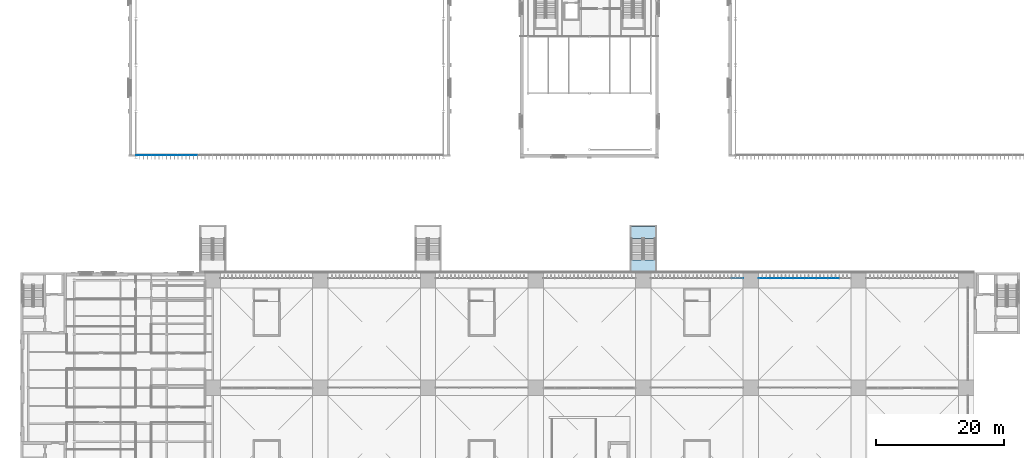
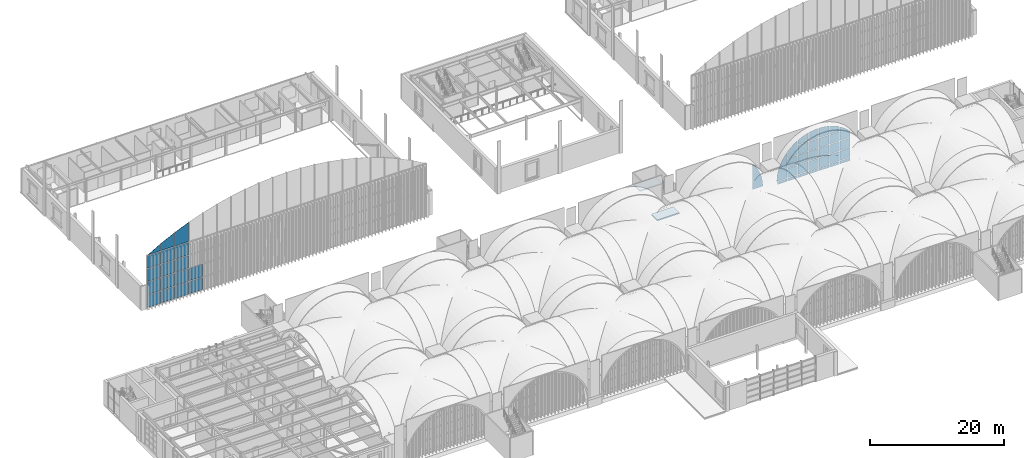
# One storey, part 88 of 169: 48 plates, 2 slabs, 4 elements without a shape of their own.
"""IFC4 building model written with IfcOpenShell, lengths in metres."""

from ifc_helpers import new_model, si_unit, direction, frame, origin, origin_2d, place, context, subcontext, project, spatial, polyline, rectangle, outline, extrude, material, layer, layer_set, type_object, element, aggregate, save


model = new_model("IFC4")

# Units and contexts
model_context = context("Model", 3, precision=1e-05, world=origin(), true_north=direction((0.0, 1.0)))
body_context = subcontext(model_context, "Body", "Model", "MODEL_VIEW")
ifc_project = project(units=[si_unit("LENGTHUNIT", "METRE"), si_unit("AREAUNIT", "SQUARE_METRE"), si_unit("VOLUMEUNIT", "CUBIC_METRE"), si_unit("PLANEANGLEUNIT", "RADIAN"), si_unit("MASSUNIT", "GRAM", prefix="KILO")], contexts=[model_context])

# Site, building, storey
site_placement = place(None, origin())
site = spatial("IfcSite", under=ifc_project, at=site_placement, CompositionType="ELEMENT")
building_placement = place(site_placement, origin())
building = spatial("IfcBuilding", under=site, at=building_placement, Name="Verrick Yard Athletic Hall", CompositionType="ELEMENT")
storey_placement = place(building_placement, frame((0.0, 0.0, 4.39990234375)))
storey = spatial("IfcBuildingStorey", under=building, at=storey_placement, Name="L01", CompositionType="ELEMENT", Elevation=4.39990234375)

# Slab
ifc_material_1 = material(Name="Concrete 35 MPa", Category="concrete")
ifc_layer_1 = layer(ifc_material_1, 0.199951171875)
ifc_layer_set_1 = layer_set([ifc_layer_1], Name="Core floor slab 200")
slab_type_1 = type_object("IfcSlabType", Name="Core floor slab 200", PredefinedType="FLOOR", material=ifc_layer_set_1)
slab_1_placement = place(storey_placement, frame((0.0, 0.0, -0.199951171875)))
element("IfcSlab", 1, at=slab_1_placement, inside=storey, type_object=slab_type_1, Name="CORE-DT-N2-NL-L01", PredefinedType="FLOOR", context=body_context, shape_type="SweptSolid", body=[
    extrude(outline(polyline([(109.10009765625, 54.199951171875), (109.10009765625, 56.0), (105.300048828125, 56.0), (105.300048828125, 54.199951171875), (109.10009765625, 54.199951171875)])), origin(), (0.0, 0.0, 1.0), 0.199951171875),
])

# Curtain wall, plate
ifc_material_2 = material(Name="Aluminium and glass curtain wall", Category="aluminium")
ifc_layer_2 = layer(ifc_material_2, 0.14990234375)
ifc_layer_set_2 = layer_set([ifc_layer_2], Name="Arcade glazing arch")
curtain_wall_type_1 = type_object("IfcCurtainWallType", Name="Arcade glazing arch", PredefinedType="NOTDEFINED", material=ifc_layer_set_2)
curtain_wall_1_placement = place(storey_placement, origin())
curtain_wall_1 = element("IfcCurtainWall", 2, at=curtain_wall_1_placement, inside=storey, type_object=curtain_wall_type_1, Name="Arcade glazing N5", PredefinedType="NOTDEFINED")
ifc_material_3 = material(Name="Laminated glass 28 mm", Category="glass")
ifc_layer_3 = layer(ifc_material_3, 0.028076171875)
ifc_layer_set_3 = layer_set([ifc_layer_3], Name="Curtain wall glass panel")
plate_type_1 = type_object("IfcPlateType", Name="Curtain wall glass panel", PredefinedType="CURTAIN_PANEL", material=ifc_layer_set_3)
plate_1_placement = place(storey_placement, frame((108.39990234375, 53.10009765625, 0.700927734375), z_axis=(0.0, 0.0, 1.0), x_axis=(1.0, 0.0, 0.0)))
plate_1 = element("IfcPlate", 3, at=plate_1_placement, type_object=plate_type_1, Name="Arcade glazing N5 panel 32", PredefinedType="CURTAIN_PANEL", context=body_context, shape_type="SweptSolid", body=[
    extrude(outline(polyline([(14.39892578125, 0.0), (14.39306640625, 0.26318359375), (14.37255859375, 0.57666015625), (14.33837890625, 0.888916015625), (14.29052734375, 1.199462890625), (14.229248046875, 1.507568359375), (14.15478515625, 1.812744140625), (14.06689453125, 2.1142578125), (13.9658203125, 2.41162109375), (13.851806640625, 2.70458984375), (13.725341796875, 2.9921875), (13.58642578125, 3.273681640625), (13.435302734375, 3.549072265625), (13.2724609375, 3.81787109375), (13.097900390625, 4.078857421875), (12.912109375, 4.332275390625), (12.715576171875, 4.5771484375), (12.65087890625, 4.651123046875), (12.65087890625, 0.0), (14.39892578125, 0.0)])), frame((0.0, 0.01416015625, 0.0), z_axis=(0.0, -1.0, 0.0), x_axis=(1.0, 0.0, 0.0)), (0.0, 0.0, 1.0), 0.028076171875),
])
aggregate(curtain_wall_1, [plate_1])

# Curtain wall, plates
curtain_wall_2_placement = place(storey_placement, origin())
curtain_wall_2 = element("IfcCurtainWall", 4, at=curtain_wall_2_placement, inside=storey, type_object=curtain_wall_type_1, Name="Arcade glazing N6", PredefinedType="NOTDEFINED")
plate_2_placement = place(storey_placement, frame((125.199951171875, 53.10009765625, 0.101806640625), z_axis=(0.0, 0.0, 1.0), x_axis=(1.0, 0.0, 0.0)))
plate_2 = element("IfcPlate", 5, at=plate_2_placement, type_object=plate_type_1, Name="Arcade glazing N6 panel 1", PredefinedType="CURTAIN_PANEL", context=body_context, shape_type="SweptSolid", body=[
    extrude(outline(polyline([(1.749267578125, 0.0), (1.749267578125, 0.49755859375), (0.10205078125, 0.49755859375), (0.10205078125, 0.0), (1.749267578125, 0.0)])), frame((0.0, 0.01416015625, 0.0), z_axis=(0.0, -1.0, 0.0), x_axis=(1.0, 0.0, 0.0)), (0.0, 0.0, 1.0), 0.028076171875),
])
plate_3_placement = place(storey_placement, frame((125.199951171875, 53.10009765625, 0.700927734375), z_axis=(0.0, 0.0, 1.0), x_axis=(1.0, 0.0, 0.0)))
plate_3 = element("IfcPlate", 6, at=plate_3_placement, type_object=plate_type_1, Name="Arcade glazing N6 panel 2", PredefinedType="CURTAIN_PANEL", context=body_context, shape_type="SweptSolid", body=[
    extrude(outline(polyline([(1.749267578125, 4.651123046875), (1.6845703125, 4.5771484375), (1.48779296875, 4.332275390625), (1.302001953125, 4.078857421875), (1.127685546875, 3.81787109375), (0.964599609375, 3.549072265625), (0.8134765625, 3.273681640625), (0.674560546875, 2.9921875), (0.548095703125, 2.70458984375), (0.43408203125, 2.41162109375), (0.333251953125, 2.1142578125), (0.245361328125, 1.812744140625), (0.170654296875, 1.507568359375), (0.109375, 1.199462890625), (0.0615234375, 0.888916015625), (0.02734375, 0.57666015625), (0.0068359375, 0.26318359375), (0.001220703125, 0.0), (1.749267578125, 0.0), (1.749267578125, 4.651123046875)])), frame((0.0, 0.01416015625, 0.0), z_axis=(0.0, -1.0, 0.0), x_axis=(1.0, 0.0, 0.0)), (0.0, 0.0, 1.0), 0.028076171875),
])
plate_4_placement = place(storey_placement, frame((125.199951171875, 53.10009765625, 0.101806640625), z_axis=(0.0, 0.0, 1.0), x_axis=(1.0, 0.0, 0.0)))
plate_4 = element("IfcPlate", 7, at=plate_4_placement, type_object=plate_type_1, Name="Arcade glazing N6 panel 3", PredefinedType="CURTAIN_PANEL", context=body_context, shape_type="SweptSolid", body=[
    extrude(outline(polyline([(3.54931640625, 0.0), (3.54931640625, 0.49755859375), (1.850830078125, 0.49755859375), (1.850830078125, 0.0), (3.54931640625, 0.0)])), frame((0.0, 0.01416015625, 0.0), z_axis=(0.0, -1.0, 0.0), x_axis=(1.0, 0.0, 0.0)), (0.0, 0.0, 1.0), 0.028076171875),
])
plate_5_placement = place(storey_placement, frame((125.199951171875, 53.10009765625, 0.700927734375), z_axis=(0.0, 0.0, 1.0), x_axis=(1.0, 0.0, 0.0)))
plate_5 = element("IfcPlate", 8, at=plate_5_placement, type_object=plate_type_1, Name="Arcade glazing N6 panel 4", PredefinedType="CURTAIN_PANEL", context=body_context, shape_type="SweptSolid", body=[
    extrude(outline(polyline([(3.54931640625, 0.0), (3.54931640625, 1.698486328125), (1.850830078125, 1.698486328125), (1.850830078125, 0.0), (3.54931640625, 0.0)])), frame((0.0, 0.01416015625, 0.0), z_axis=(0.0, -1.0, 0.0), x_axis=(1.0, 0.0, 0.0)), (0.0, 0.0, 1.0), 0.028076171875),
])
plate_6_placement = place(storey_placement, frame((125.199951171875, 53.10009765625, 2.5009765625), z_axis=(0.0, 0.0, 1.0), x_axis=(1.0, 0.0, 0.0)))
plate_6 = element("IfcPlate", 9, at=plate_6_placement, type_object=plate_type_1, Name="Arcade glazing N6 panel 5", PredefinedType="CURTAIN_PANEL", context=body_context, shape_type="SweptSolid", body=[
    extrude(outline(polyline([(3.54931640625, 0.0), (3.54931640625, 1.6982421875), (1.850830078125, 1.6982421875), (1.850830078125, 0.0), (3.54931640625, 0.0)])), frame((0.0, 0.01416015625, 0.0), z_axis=(0.0, -1.0, 0.0), x_axis=(1.0, 0.0, 0.0)), (0.0, 0.0, 1.0), 0.028076171875),
])
plate_7_placement = place(storey_placement, frame((125.199951171875, 53.10009765625, 4.30078125), z_axis=(0.0, 0.0, 1.0), x_axis=(1.0, 0.0, 0.0)))
plate_7 = element("IfcPlate", 10, at=plate_7_placement, type_object=plate_type_1, Name="Arcade glazing N6 panel 6", PredefinedType="CURTAIN_PANEL", context=body_context, shape_type="SweptSolid", body=[
    extrude(outline(polyline([(3.54931640625, 2.553955078125), (3.331298828125, 2.421630859375), (3.0703125, 2.247314453125), (2.81689453125, 2.0615234375), (2.572021484375, 1.86474609375), (2.335693359375, 1.65771484375), (2.10888671875, 1.4404296875), (1.8916015625, 1.213623046875), (1.850830078125, 1.1669921875), (1.850830078125, 0.0), (3.54931640625, 0.0), (3.54931640625, 2.553955078125)])), frame((0.0, 0.01416015625, 0.0), z_axis=(0.0, -1.0, 0.0), x_axis=(1.0, 0.0, 0.0)), (0.0, 0.0, 1.0), 0.028076171875),
])
plate_8_placement = place(storey_placement, frame((125.199951171875, 53.10009765625, 0.101806640625), z_axis=(0.0, 0.0, 1.0), x_axis=(1.0, 0.0, 0.0)))
plate_8 = element("IfcPlate", 11, at=plate_8_placement, type_object=plate_type_1, Name="Arcade glazing N6 panel 7", PredefinedType="CURTAIN_PANEL", context=body_context, shape_type="SweptSolid", body=[
    extrude(outline(polyline([(5.34912109375, 0.0), (5.34912109375, 0.49755859375), (3.65087890625, 0.49755859375), (3.65087890625, 0.0), (5.34912109375, 0.0)])), frame((0.0, 0.01416015625, 0.0), z_axis=(0.0, -1.0, 0.0), x_axis=(1.0, 0.0, 0.0)), (0.0, 0.0, 1.0), 0.028076171875),
])
plate_9_placement = place(storey_placement, frame((125.199951171875, 53.10009765625, 0.700927734375), z_axis=(0.0, 0.0, 1.0), x_axis=(1.0, 0.0, 0.0)))
plate_9 = element("IfcPlate", 12, at=plate_9_placement, type_object=plate_type_1, Name="Arcade glazing N6 panel 8", PredefinedType="CURTAIN_PANEL", context=body_context, shape_type="SweptSolid", body=[
    extrude(outline(polyline([(5.34912109375, 0.0), (5.34912109375, 1.698486328125), (3.65087890625, 1.698486328125), (3.65087890625, 0.0), (5.34912109375, 0.0)])), frame((0.0, 0.01416015625, 0.0), z_axis=(0.0, -1.0, 0.0), x_axis=(1.0, 0.0, 0.0)), (0.0, 0.0, 1.0), 0.028076171875),
])
plate_10_placement = place(storey_placement, frame((125.199951171875, 53.10009765625, 2.5009765625), z_axis=(0.0, 0.0, 1.0), x_axis=(1.0, 0.0, 0.0)))
plate_10 = element("IfcPlate", 13, at=plate_10_placement, type_object=plate_type_1, Name="Arcade glazing N6 panel 9", PredefinedType="CURTAIN_PANEL", context=body_context, shape_type="SweptSolid", body=[
    extrude(outline(polyline([(5.34912109375, 0.0), (5.34912109375, 1.6982421875), (3.65087890625, 1.6982421875), (3.65087890625, 0.0), (5.34912109375, 0.0)])), frame((0.0, 0.01416015625, 0.0), z_axis=(0.0, -1.0, 0.0), x_axis=(1.0, 0.0, 0.0)), (0.0, 0.0, 1.0), 0.028076171875),
])
plate_11_placement = place(storey_placement, frame((125.199951171875, 53.10009765625, 4.30078125), z_axis=(0.0, 0.0, 1.0), x_axis=(1.0, 0.0, 0.0)))
plate_11 = element("IfcPlate", 14, at=plate_11_placement, type_object=plate_type_1, Name="Arcade glazing N6 panel 10", PredefinedType="CURTAIN_PANEL", context=body_context, shape_type="SweptSolid", body=[
    extrude(outline(polyline([(5.34912109375, 0.0), (5.34912109375, 1.698486328125), (3.65087890625, 1.698486328125), (3.65087890625, 0.0), (5.34912109375, 0.0)])), frame((0.0, 0.01416015625, 0.0), z_axis=(0.0, -1.0, 0.0), x_axis=(1.0, 0.0, 0.0)), (0.0, 0.0, 1.0), 0.028076171875),
])
plate_12_placement = place(storey_placement, frame((125.199951171875, 53.10009765625, 6.100830078125), z_axis=(0.0, 0.0, 1.0), x_axis=(1.0, 0.0, 0.0)))
plate_12 = element("IfcPlate", 15, at=plate_12_placement, type_object=plate_type_1, Name="Arcade glazing N6 panel 11", PredefinedType="CURTAIN_PANEL", context=body_context, shape_type="SweptSolid", body=[
    extrude(outline(polyline([(5.34912109375, 1.507080078125), (5.33642578125, 1.50390625), (5.034912109375, 1.416015625), (4.737548828125, 1.315185546875), (4.444580078125, 1.201171875), (4.156982421875, 1.07470703125), (3.87548828125, 0.935791015625), (3.65087890625, 0.8125), (3.65087890625, 0.0), (5.34912109375, 0.0), (5.34912109375, 1.507080078125)])), frame((0.0, 0.01416015625, 0.0), z_axis=(0.0, -1.0, 0.0), x_axis=(1.0, 0.0, 0.0)), (0.0, 0.0, 1.0), 0.028076171875),
])
plate_13_placement = place(storey_placement, frame((125.199951171875, 53.10009765625, 0.101806640625), z_axis=(0.0, 0.0, 1.0), x_axis=(1.0, 0.0, 0.0)))
plate_13 = element("IfcPlate", 16, at=plate_13_placement, type_object=plate_type_1, Name="Arcade glazing N6 panel 12", PredefinedType="CURTAIN_PANEL", context=body_context, shape_type="SweptSolid", body=[
    extrude(outline(polyline([(7.149169921875, 0.0), (7.149169921875, 0.49755859375), (5.45068359375, 0.49755859375), (5.45068359375, 0.0), (7.149169921875, 0.0)])), frame((0.0, 0.01416015625, 0.0), z_axis=(0.0, -1.0, 0.0), x_axis=(1.0, 0.0, 0.0)), (0.0, 0.0, 1.0), 0.028076171875),
])
plate_14_placement = place(storey_placement, frame((125.199951171875, 53.10009765625, 0.700927734375), z_axis=(0.0, 0.0, 1.0), x_axis=(1.0, 0.0, 0.0)))
plate_14 = element("IfcPlate", 17, at=plate_14_placement, type_object=plate_type_1, Name="Arcade glazing N6 panel 13", PredefinedType="CURTAIN_PANEL", context=body_context, shape_type="SweptSolid", body=[
    extrude(outline(polyline([(7.149169921875, 0.0), (7.149169921875, 1.698486328125), (5.45068359375, 1.698486328125), (5.45068359375, 0.0), (7.149169921875, 0.0)])), frame((0.0, 0.01416015625, 0.0), z_axis=(0.0, -1.0, 0.0), x_axis=(1.0, 0.0, 0.0)), (0.0, 0.0, 1.0), 0.028076171875),
])
plate_15_placement = place(storey_placement, frame((125.199951171875, 53.10009765625, 2.5009765625), z_axis=(0.0, 0.0, 1.0), x_axis=(1.0, 0.0, 0.0)))
plate_15 = element("IfcPlate", 18, at=plate_15_placement, type_object=plate_type_1, Name="Arcade glazing N6 panel 14", PredefinedType="CURTAIN_PANEL", context=body_context, shape_type="SweptSolid", body=[
    extrude(outline(polyline([(7.149169921875, 0.0), (7.149169921875, 1.6982421875), (5.45068359375, 1.6982421875), (5.45068359375, 0.0), (7.149169921875, 0.0)])), frame((0.0, 0.01416015625, 0.0), z_axis=(0.0, -1.0, 0.0), x_axis=(1.0, 0.0, 0.0)), (0.0, 0.0, 1.0), 0.028076171875),
])
plate_16_placement = place(storey_placement, frame((125.199951171875, 53.10009765625, 4.30078125), z_axis=(0.0, 0.0, 1.0), x_axis=(1.0, 0.0, 0.0)))
plate_16 = element("IfcPlate", 19, at=plate_16_placement, type_object=plate_type_1, Name="Arcade glazing N6 panel 15", PredefinedType="CURTAIN_PANEL", context=body_context, shape_type="SweptSolid", body=[
    extrude(outline(polyline([(7.149169921875, 0.0), (7.149169921875, 1.698486328125), (5.45068359375, 1.698486328125), (5.45068359375, 0.0), (7.149169921875, 0.0)])), frame((0.0, 0.01416015625, 0.0), z_axis=(0.0, -1.0, 0.0), x_axis=(1.0, 0.0, 0.0)), (0.0, 0.0, 1.0), 0.028076171875),
])
plate_17_placement = place(storey_placement, frame((125.199951171875, 53.10009765625, 6.100830078125), z_axis=(0.0, 0.0, 1.0), x_axis=(1.0, 0.0, 0.0)))
plate_17 = element("IfcPlate", 20, at=plate_17_placement, type_object=plate_type_1, Name="Arcade glazing N6 panel 16", PredefinedType="CURTAIN_PANEL", context=body_context, shape_type="SweptSolid", body=[
    extrude(outline(polyline([(7.149169921875, 1.748046875), (6.885986328125, 1.742431640625), (6.572509765625, 1.721923828125), (6.26025390625, 1.687744140625), (5.94970703125, 1.639892578125), (5.6416015625, 1.57861328125), (5.45068359375, 1.531982421875), (5.45068359375, 0.0), (7.149169921875, 0.0), (7.149169921875, 1.748046875)])), frame((0.0, 0.01416015625, 0.0), z_axis=(0.0, -1.0, 0.0), x_axis=(1.0, 0.0, 0.0)), (0.0, 0.0, 1.0), 0.028076171875),
])
plate_18_placement = place(storey_placement, frame((125.199951171875, 53.10009765625, 0.101806640625), z_axis=(0.0, 0.0, 1.0), x_axis=(1.0, 0.0, 0.0)))
plate_18 = element("IfcPlate", 21, at=plate_18_placement, type_object=plate_type_1, Name="Arcade glazing N6 panel 17", PredefinedType="CURTAIN_PANEL", context=body_context, shape_type="SweptSolid", body=[
    extrude(outline(polyline([(8.94921875, 0.0), (8.94921875, 0.49755859375), (7.250732421875, 0.49755859375), (7.250732421875, 0.0), (8.94921875, 0.0)])), frame((0.0, 0.01416015625, 0.0), z_axis=(0.0, -1.0, 0.0), x_axis=(1.0, 0.0, 0.0)), (0.0, 0.0, 1.0), 0.028076171875),
])
plate_19_placement = place(storey_placement, frame((125.199951171875, 53.10009765625, 0.700927734375), z_axis=(0.0, 0.0, 1.0), x_axis=(1.0, 0.0, 0.0)))
plate_19 = element("IfcPlate", 22, at=plate_19_placement, type_object=plate_type_1, Name="Arcade glazing N6 panel 18", PredefinedType="CURTAIN_PANEL", context=body_context, shape_type="SweptSolid", body=[
    extrude(outline(polyline([(8.94921875, 0.0), (8.94921875, 1.698486328125), (7.250732421875, 1.698486328125), (7.250732421875, 0.0), (8.94921875, 0.0)])), frame((0.0, 0.01416015625, 0.0), z_axis=(0.0, -1.0, 0.0), x_axis=(1.0, 0.0, 0.0)), (0.0, 0.0, 1.0), 0.028076171875),
])
plate_20_placement = place(storey_placement, frame((125.199951171875, 53.10009765625, 2.5009765625), z_axis=(0.0, 0.0, 1.0), x_axis=(1.0, 0.0, 0.0)))
plate_20 = element("IfcPlate", 23, at=plate_20_placement, type_object=plate_type_1, Name="Arcade glazing N6 panel 19", PredefinedType="CURTAIN_PANEL", context=body_context, shape_type="SweptSolid", body=[
    extrude(outline(polyline([(8.94921875, 0.0), (8.94921875, 1.6982421875), (7.250732421875, 1.6982421875), (7.250732421875, 0.0), (8.94921875, 0.0)])), frame((0.0, 0.01416015625, 0.0), z_axis=(0.0, -1.0, 0.0), x_axis=(1.0, 0.0, 0.0)), (0.0, 0.0, 1.0), 0.028076171875),
])
plate_21_placement = place(storey_placement, frame((125.199951171875, 53.10009765625, 4.30078125), z_axis=(0.0, 0.0, 1.0), x_axis=(1.0, 0.0, 0.0)))
plate_21 = element("IfcPlate", 24, at=plate_21_placement, type_object=plate_type_1, Name="Arcade glazing N6 panel 20", PredefinedType="CURTAIN_PANEL", context=body_context, shape_type="SweptSolid", body=[
    extrude(outline(polyline([(8.94921875, 0.0), (8.94921875, 1.698486328125), (7.250732421875, 1.698486328125), (7.250732421875, 0.0), (8.94921875, 0.0)])), frame((0.0, 0.01416015625, 0.0), z_axis=(0.0, -1.0, 0.0), x_axis=(1.0, 0.0, 0.0)), (0.0, 0.0, 1.0), 0.028076171875),
])
plate_22_placement = place(storey_placement, frame((125.199951171875, 53.10009765625, 6.100830078125), z_axis=(0.0, 0.0, 1.0), x_axis=(1.0, 0.0, 0.0)))
plate_22 = element("IfcPlate", 25, at=plate_22_placement, type_object=plate_type_1, Name="Arcade glazing N6 panel 21", PredefinedType="CURTAIN_PANEL", context=body_context, shape_type="SweptSolid", body=[
    extrude(outline(polyline([(8.94921875, 1.531982421875), (8.75830078125, 1.57861328125), (8.4501953125, 1.639892578125), (8.139892578125, 1.687744140625), (7.827392578125, 1.721923828125), (7.51416015625, 1.742431640625), (7.250732421875, 1.748046875), (7.250732421875, 0.0), (8.94921875, 0.0), (8.94921875, 1.531982421875)])), frame((0.0, 0.01416015625, 0.0), z_axis=(0.0, -1.0, 0.0), x_axis=(1.0, 0.0, 0.0)), (0.0, 0.0, 1.0), 0.028076171875),
])
plate_23_placement = place(storey_placement, frame((125.199951171875, 53.10009765625, 0.101806640625), z_axis=(0.0, 0.0, 1.0), x_axis=(1.0, 0.0, 0.0)))
plate_23 = element("IfcPlate", 26, at=plate_23_placement, type_object=plate_type_1, Name="Arcade glazing N6 panel 22", PredefinedType="CURTAIN_PANEL", context=body_context, shape_type="SweptSolid", body=[
    extrude(outline(polyline([(10.749267578125, 0.0), (10.749267578125, 0.49755859375), (9.05078125, 0.49755859375), (9.05078125, 0.0), (10.749267578125, 0.0)])), frame((0.0, 0.01416015625, 0.0), z_axis=(0.0, -1.0, 0.0), x_axis=(1.0, 0.0, 0.0)), (0.0, 0.0, 1.0), 0.028076171875),
])
plate_24_placement = place(storey_placement, frame((125.199951171875, 53.10009765625, 0.700927734375), z_axis=(0.0, 0.0, 1.0), x_axis=(1.0, 0.0, 0.0)))
plate_24 = element("IfcPlate", 27, at=plate_24_placement, type_object=plate_type_1, Name="Arcade glazing N6 panel 23", PredefinedType="CURTAIN_PANEL", context=body_context, shape_type="SweptSolid", body=[
    extrude(outline(polyline([(10.749267578125, 0.0), (10.749267578125, 1.698486328125), (9.05078125, 1.698486328125), (9.05078125, 0.0), (10.749267578125, 0.0)])), frame((0.0, 0.01416015625, 0.0), z_axis=(0.0, -1.0, 0.0), x_axis=(1.0, 0.0, 0.0)), (0.0, 0.0, 1.0), 0.028076171875),
])
plate_25_placement = place(storey_placement, frame((125.199951171875, 53.10009765625, 2.5009765625), z_axis=(0.0, 0.0, 1.0), x_axis=(1.0, 0.0, 0.0)))
plate_25 = element("IfcPlate", 28, at=plate_25_placement, type_object=plate_type_1, Name="Arcade glazing N6 panel 24", PredefinedType="CURTAIN_PANEL", context=body_context, shape_type="SweptSolid", body=[
    extrude(outline(polyline([(10.749267578125, 0.0), (10.749267578125, 1.6982421875), (9.05078125, 1.6982421875), (9.05078125, 0.0), (10.749267578125, 0.0)])), frame((0.0, 0.01416015625, 0.0), z_axis=(0.0, -1.0, 0.0), x_axis=(1.0, 0.0, 0.0)), (0.0, 0.0, 1.0), 0.028076171875),
])
plate_26_placement = place(storey_placement, frame((125.199951171875, 53.10009765625, 4.30078125), z_axis=(0.0, 0.0, 1.0), x_axis=(1.0, 0.0, 0.0)))
plate_26 = element("IfcPlate", 29, at=plate_26_placement, type_object=plate_type_1, Name="Arcade glazing N6 panel 25", PredefinedType="CURTAIN_PANEL", context=body_context, shape_type="SweptSolid", body=[
    extrude(outline(polyline([(10.749267578125, 0.0), (10.749267578125, 1.698486328125), (9.05078125, 1.698486328125), (9.05078125, 0.0), (10.749267578125, 0.0)])), frame((0.0, 0.01416015625, 0.0), z_axis=(0.0, -1.0, 0.0), x_axis=(1.0, 0.0, 0.0)), (0.0, 0.0, 1.0), 0.028076171875),
])
plate_27_placement = place(storey_placement, frame((125.199951171875, 53.10009765625, 6.100830078125), z_axis=(0.0, 0.0, 1.0), x_axis=(1.0, 0.0, 0.0)))
plate_27 = element("IfcPlate", 30, at=plate_27_placement, type_object=plate_type_1, Name="Arcade glazing N6 panel 26", PredefinedType="CURTAIN_PANEL", context=body_context, shape_type="SweptSolid", body=[
    extrude(outline(polyline([(10.749267578125, 0.8125), (10.524658203125, 0.935791015625), (10.242919921875, 1.07470703125), (9.955322265625, 1.201171875), (9.66259765625, 1.315185546875), (9.364990234375, 1.416015625), (9.0634765625, 1.50390625), (9.05078125, 1.507080078125), (9.05078125, 0.0), (10.749267578125, 0.0), (10.749267578125, 0.8125)])), frame((0.0, 0.01416015625, 0.0), z_axis=(0.0, -1.0, 0.0), x_axis=(1.0, 0.0, 0.0)), (0.0, 0.0, 1.0), 0.028076171875),
])
plate_28_placement = place(storey_placement, frame((125.199951171875, 53.10009765625, 0.101806640625), z_axis=(0.0, 0.0, 1.0), x_axis=(1.0, 0.0, 0.0)))
plate_28 = element("IfcPlate", 31, at=plate_28_placement, type_object=plate_type_1, Name="Arcade glazing N6 panel 27", PredefinedType="CURTAIN_PANEL", context=body_context, shape_type="SweptSolid", body=[
    extrude(outline(polyline([(12.54931640625, 0.0), (12.54931640625, 0.49755859375), (10.850830078125, 0.49755859375), (10.850830078125, 0.0), (12.54931640625, 0.0)])), frame((0.0, 0.01416015625, 0.0), z_axis=(0.0, -1.0, 0.0), x_axis=(1.0, 0.0, 0.0)), (0.0, 0.0, 1.0), 0.028076171875),
])
plate_29_placement = place(storey_placement, frame((125.199951171875, 53.10009765625, 0.700927734375), z_axis=(0.0, 0.0, 1.0), x_axis=(1.0, 0.0, 0.0)))
plate_29 = element("IfcPlate", 32, at=plate_29_placement, type_object=plate_type_1, Name="Arcade glazing N6 panel 28", PredefinedType="CURTAIN_PANEL", context=body_context, shape_type="SweptSolid", body=[
    extrude(outline(polyline([(12.54931640625, 0.0), (12.54931640625, 1.698486328125), (10.850830078125, 1.698486328125), (10.850830078125, 0.0), (12.54931640625, 0.0)])), frame((0.0, 0.01416015625, 0.0), z_axis=(0.0, -1.0, 0.0), x_axis=(1.0, 0.0, 0.0)), (0.0, 0.0, 1.0), 0.028076171875),
])
plate_30_placement = place(storey_placement, frame((125.199951171875, 53.10009765625, 2.5009765625), z_axis=(0.0, 0.0, 1.0), x_axis=(1.0, 0.0, 0.0)))
plate_30 = element("IfcPlate", 33, at=plate_30_placement, type_object=plate_type_1, Name="Arcade glazing N6 panel 29", PredefinedType="CURTAIN_PANEL", context=body_context, shape_type="SweptSolid", body=[
    extrude(outline(polyline([(12.54931640625, 0.0), (12.54931640625, 1.6982421875), (10.850830078125, 1.6982421875), (10.850830078125, 0.0), (12.54931640625, 0.0)])), frame((0.0, 0.01416015625, 0.0), z_axis=(0.0, -1.0, 0.0), x_axis=(1.0, 0.0, 0.0)), (0.0, 0.0, 1.0), 0.028076171875),
])
plate_31_placement = place(storey_placement, frame((125.199951171875, 53.10009765625, 4.30078125), z_axis=(0.0, 0.0, 1.0), x_axis=(1.0, 0.0, 0.0)))
plate_31 = element("IfcPlate", 34, at=plate_31_placement, type_object=plate_type_1, Name="Arcade glazing N6 panel 30", PredefinedType="CURTAIN_PANEL", context=body_context, shape_type="SweptSolid", body=[
    extrude(outline(polyline([(12.54931640625, 1.1669921875), (12.50830078125, 1.213623046875), (12.291259765625, 1.4404296875), (12.064208984375, 1.65771484375), (11.828125, 1.86474609375), (11.5830078125, 2.0615234375), (11.329833984375, 2.247314453125), (11.068603515625, 2.421630859375), (10.850830078125, 2.553955078125), (10.850830078125, 0.0), (12.54931640625, 0.0), (12.54931640625, 1.1669921875)])), frame((0.0, 0.01416015625, 0.0), z_axis=(0.0, -1.0, 0.0), x_axis=(1.0, 0.0, 0.0)), (0.0, 0.0, 1.0), 0.028076171875),
])
aggregate(curtain_wall_2, [plate_2, plate_3, plate_4, plate_5, plate_6, plate_7, plate_8, plate_9, plate_10, plate_11, plate_12, plate_13, plate_14, plate_15, plate_16, plate_17, plate_18, plate_19, plate_20, plate_21, plate_22, plate_23, plate_24, plate_25, plate_26, plate_27, plate_28, plate_29, plate_30, plate_31])

ifc_material_4 = material(Name="Anodised aluminium", Category="aluminium")
ifc_layer_4 = layer(ifc_material_4, 0.199951171875)
ifc_layer_set_4 = layer_set([ifc_layer_4], Name="Gable glazing")
curtain_wall_type_2 = type_object("IfcCurtainWallType", Name="Gable glazing", PredefinedType="NOTDEFINED", material=ifc_layer_set_4)
curtain_wall_3_placement = place(storey_placement, origin())
curtain_wall_3 = element("IfcCurtainWall", 35, at=curtain_wall_3_placement, inside=storey, type_object=curtain_wall_type_2, Name="Gable curtain wall BS", PredefinedType="NOTDEFINED")
ifc_material_5 = material(Name="Glass IGU low-e", Category="glass")
ifc_layer_5 = layer(ifc_material_5, 0.03125)
ifc_layer_set_5 = layer_set([ifc_layer_5], Name="Glazing panel 31")
plate_type_2 = type_object("IfcPlateType", Name="Glazing panel 31", PredefinedType="CURTAIN_PANEL", material=ifc_layer_set_5)
plate_32_placement = place(storey_placement, frame((29.199951171875, 72.318359375, 0.1201171875), z_axis=(0.0, 0.0, 1.0), x_axis=(1.0, 0.0, 0.0)))
plate_32 = element("IfcPlate", 36, at=plate_32_placement, type_object=plate_type_2, Name="ENVB-HBS-CW/P00-00", PredefinedType="CURTAIN_PANEL", context=body_context, shape_type="SweptSolid", body=[
    extrude(rectangle(XDim=2.340087890625, YDim=0.03125, at=origin_2d()), origin(), (0.0, 0.0, 1.0), 2.219970703125),
])
plate_33_placement = place(storey_placement, frame((29.199951171875, 72.318359375, 2.4599609375), z_axis=(0.0, 0.0, 1.0), x_axis=(1.0, 0.0, 0.0)))
plate_33 = element("IfcPlate", 37, at=plate_33_placement, type_object=plate_type_2, Name="ENVB-HBS-CW/P00-01", PredefinedType="CURTAIN_PANEL", context=body_context, shape_type="SweptSolid", body=[
    extrude(rectangle(XDim=2.340087890625, YDim=0.03125, at=origin_2d()), origin(), (0.0, 0.0, 1.0), 2.280029296875),
])
plate_34_placement = place(storey_placement, frame((29.199951171875, 72.318359375, 4.85986328125), z_axis=(0.0, 0.0, 1.0), x_axis=(1.0, 0.0, 0.0)))
plate_34 = element("IfcPlate", 38, at=plate_34_placement, type_object=plate_type_2, Name="ENVB-HBS-CW/P00-02", PredefinedType="CURTAIN_PANEL", context=body_context, shape_type="SweptSolid", body=[
    extrude(rectangle(XDim=2.340087890625, YDim=0.03125, at=origin_2d()), origin(), (0.0, 0.0, 1.0), 2.280029296875),
])
plate_35_placement = place(storey_placement, frame((29.199951171875, 72.318359375, 7.26025390625), z_axis=(0.0, 0.0, 1.0), x_axis=(1.0, 0.0, 0.0)))
plate_35 = element("IfcPlate", 39, at=plate_35_placement, type_object=plate_type_2, Name="ENVB-HBS-CW/P00-03", PredefinedType="CURTAIN_PANEL", context=body_context, shape_type="SweptSolid", body=[
    extrude(rectangle(XDim=2.340087890625, YDim=0.03125, at=origin_2d()), origin(), (0.0, 0.0, 1.0), 2.280029296875),
])
plate_36_placement = place(storey_placement, frame((31.60009765625, 72.318359375, 0.1201171875), z_axis=(0.0, 0.0, 1.0), x_axis=(1.0, 0.0, 0.0)))
plate_36 = element("IfcPlate", 40, at=plate_36_placement, type_object=plate_type_2, Name="ENVB-HBS-CW/P01-00", PredefinedType="CURTAIN_PANEL", context=body_context, shape_type="SweptSolid", body=[
    extrude(rectangle(XDim=2.340087890625, YDim=0.03125, at=origin_2d()), origin(), (0.0, 0.0, 1.0), 2.219970703125),
])
plate_37_placement = place(storey_placement, frame((31.60009765625, 72.318359375, 2.4599609375), z_axis=(0.0, 0.0, 1.0), x_axis=(1.0, 0.0, 0.0)))
plate_37 = element("IfcPlate", 41, at=plate_37_placement, type_object=plate_type_2, Name="ENVB-HBS-CW/P01-01", PredefinedType="CURTAIN_PANEL", context=body_context, shape_type="SweptSolid", body=[
    extrude(rectangle(XDim=2.340087890625, YDim=0.03125, at=origin_2d()), origin(), (0.0, 0.0, 1.0), 2.280029296875),
])
plate_38_placement = place(storey_placement, frame((31.60009765625, 72.318359375, 4.85986328125), z_axis=(0.0, 0.0, 1.0), x_axis=(1.0, 0.0, 0.0)))
plate_38 = element("IfcPlate", 42, at=plate_38_placement, type_object=plate_type_2, Name="ENVB-HBS-CW/P01-02", PredefinedType="CURTAIN_PANEL", context=body_context, shape_type="SweptSolid", body=[
    extrude(rectangle(XDim=2.340087890625, YDim=0.03125, at=origin_2d()), origin(), (0.0, 0.0, 1.0), 2.280029296875),
])
plate_39_placement = place(storey_placement, frame((31.60009765625, 72.318359375, 7.26025390625), z_axis=(0.0, 0.0, 1.0), x_axis=(1.0, 0.0, 0.0)))
plate_39 = element("IfcPlate", 43, at=plate_39_placement, type_object=plate_type_2, Name="ENVB-HBS-CW/P01-03", PredefinedType="CURTAIN_PANEL", context=body_context, shape_type="SweptSolid", body=[
    extrude(rectangle(XDim=2.340087890625, YDim=0.03125, at=origin_2d()), origin(), (0.0, 0.0, 1.0), 2.280029296875),
])
plate_40_placement = place(storey_placement, frame((34.0, 72.318359375, 0.1201171875), z_axis=(0.0, 0.0, 1.0), x_axis=(1.0, 0.0, 0.0)))
plate_40 = element("IfcPlate", 44, at=plate_40_placement, type_object=plate_type_2, Name="ENVB-HBS-CW/P02-00", PredefinedType="CURTAIN_PANEL", context=body_context, shape_type="SweptSolid", body=[
    extrude(rectangle(XDim=2.340087890625, YDim=0.03125, at=origin_2d()), origin(), (0.0, 0.0, 1.0), 2.219970703125),
])
plate_41_placement = place(storey_placement, frame((34.0, 72.318359375, 2.4599609375), z_axis=(0.0, 0.0, 1.0), x_axis=(1.0, 0.0, 0.0)))
plate_41 = element("IfcPlate", 45, at=plate_41_placement, type_object=plate_type_2, Name="ENVB-HBS-CW/P02-01", PredefinedType="CURTAIN_PANEL", context=body_context, shape_type="SweptSolid", body=[
    extrude(rectangle(XDim=2.340087890625, YDim=0.03125, at=origin_2d()), origin(), (0.0, 0.0, 1.0), 2.280029296875),
])
plate_42_placement = place(storey_placement, frame((34.0, 72.318359375, 4.85986328125), z_axis=(0.0, 0.0, 1.0), x_axis=(1.0, 0.0, 0.0)))
plate_42 = element("IfcPlate", 46, at=plate_42_placement, type_object=plate_type_2, Name="ENVB-HBS-CW/P02-02", PredefinedType="CURTAIN_PANEL", context=body_context, shape_type="SweptSolid", body=[
    extrude(rectangle(XDim=2.340087890625, YDim=0.03125, at=origin_2d()), origin(), (0.0, 0.0, 1.0), 2.280029296875),
])
plate_43_placement = place(storey_placement, frame((34.0, 72.318359375, 7.26025390625), z_axis=(0.0, 0.0, 1.0), x_axis=(1.0, 0.0, 0.0)))
plate_43 = element("IfcPlate", 47, at=plate_43_placement, type_object=plate_type_2, Name="ENVB-HBS-CW/P02-03", PredefinedType="CURTAIN_PANEL", context=body_context, shape_type="SweptSolid", body=[
    extrude(rectangle(XDim=2.340087890625, YDim=0.03125, at=origin_2d()), origin(), (0.0, 0.0, 1.0), 2.280029296875),
])
plate_44_placement = place(storey_placement, frame((36.39990234375, 72.318359375, 0.1201171875), z_axis=(0.0, 0.0, 1.0), x_axis=(1.0, 0.0, 0.0)))
plate_44 = element("IfcPlate", 48, at=plate_44_placement, type_object=plate_type_2, Name="ENVB-HBS-CW/P03-00", PredefinedType="CURTAIN_PANEL", context=body_context, shape_type="SweptSolid", body=[
    extrude(rectangle(XDim=2.340087890625, YDim=0.03125, at=origin_2d()), origin(), (0.0, 0.0, 1.0), 2.219970703125),
])
plate_45_placement = place(storey_placement, frame((36.39990234375, 72.318359375, 2.4599609375), z_axis=(0.0, 0.0, 1.0), x_axis=(1.0, 0.0, 0.0)))
plate_45 = element("IfcPlate", 49, at=plate_45_placement, type_object=plate_type_2, Name="ENVB-HBS-CW/P03-01", PredefinedType="CURTAIN_PANEL", context=body_context, shape_type="SweptSolid", body=[
    extrude(rectangle(XDim=2.340087890625, YDim=0.03125, at=origin_2d()), origin(), (0.0, 0.0, 1.0), 2.280029296875),
])
plate_46_placement = place(storey_placement, frame((28.16552734375, 72.318359375, 9.66015625), z_axis=(0.0, 0.0, 1.0), x_axis=(1.0, 0.0, 0.0)))
plate_46 = element("IfcPlate", 50, at=plate_46_placement, type_object=plate_type_2, Name="ENVB-HBS-CW/PA00", PredefinedType="CURTAIN_PANEL", context=body_context, shape_type="SweptSolid", body=[
    extrude(outline(polyline([(2.204345703125, 1.2587890625), (2.204345703125, 0.0), (0.0, 0.0), (2.204345703125, 1.2587890625)])), frame((0.0, 0.015625, 0.0), z_axis=(0.0, -1.0, 0.0), x_axis=(1.0, 0.0, 0.0)), (0.0, 0.0, 1.0), 0.03125),
])
plate_47_placement = place(storey_placement, frame((30.429931640625, 72.318359375, 9.66015625), z_axis=(0.0, 0.0, 1.0), x_axis=(1.0, 0.0, 0.0)))
plate_47 = element("IfcPlate", 51, at=plate_47_placement, type_object=plate_type_2, Name="ENVB-HBS-CW/PA01", PredefinedType="CURTAIN_PANEL", context=body_context, shape_type="SweptSolid", body=[
    extrude(outline(polyline([(0.0, 1.291748046875), (2.340087890625, 2.4501953125), (2.340087890625, 0.0), (0.0, 0.0), (0.0, 1.291748046875)])), frame((0.0, 0.015625, 0.0), z_axis=(0.0, -1.0, 0.0), x_axis=(1.0, 0.0, 0.0)), (0.0, 0.0, 1.0), 0.03125),
])
plate_48_placement = place(storey_placement, frame((32.830078125, 72.318359375, 9.66015625), z_axis=(0.0, 0.0, 1.0), x_axis=(1.0, 0.0, 0.0)))
plate_48 = element("IfcPlate", 52, at=plate_48_placement, type_object=plate_type_2, Name="ENVB-HBS-CW/PA02", PredefinedType="CURTAIN_PANEL", context=body_context, shape_type="SweptSolid", body=[
    extrude(outline(polyline([(0.0, 2.478759765625), (2.340087890625, 3.47412109375), (2.340087890625, 0.0), (0.0, 0.0), (0.0, 2.478759765625)])), frame((0.0, 0.015625, 0.0), z_axis=(0.0, -1.0, 0.0), x_axis=(1.0, 0.0, 0.0)), (0.0, 0.0, 1.0), 0.03125),
])
aggregate(curtain_wall_3, [plate_32, plate_33, plate_34, plate_35, plate_36, plate_37, plate_38, plate_39, plate_40, plate_41, plate_42, plate_43, plate_44, plate_45, plate_46, plate_47, plate_48])

# Stair, slab
stair_type = type_object("IfcStairType", Name="Stair ST3 1800 wide 26 risers", PredefinedType="HALF_TURN_STAIR", material=ifc_material_1)
stair_placement = place(storey_placement, origin())
stair = element("IfcStair", 53, at=stair_placement, inside=storey, type_object=stair_type, Name="North deck escape 2 stair L01", PredefinedType="HALF_TURN_STAIR")
ifc_layer_6 = layer(ifc_material_1, 0.199951171875)
ifc_layer_set_6 = layer_set([ifc_layer_6], Name="Stair landing slab 200")
slab_type_2 = type_object("IfcSlabType", Name="Stair landing slab 200", PredefinedType="LANDING", material=ifc_layer_set_6)
slab_2_placement = place(storey_placement, frame((0.0, 0.0, 2.0)))
slab_2 = element("IfcSlab", 54, at=slab_2_placement, type_object=slab_type_2, Name="ST3 landing 1", PredefinedType="LANDING", context=body_context, shape_type="SweptSolid", body=[
    extrude(outline(polyline([(109.10009765625, 59.360107421875), (109.10009765625, 61.199951171875), (105.300048828125, 61.199951171875), (105.300048828125, 59.360107421875), (109.10009765625, 59.360107421875)])), origin(), (0.0, 0.0, 1.0), 0.2001953125),
])
aggregate(stair, [slab_2])

save(model, "model.ifc")
